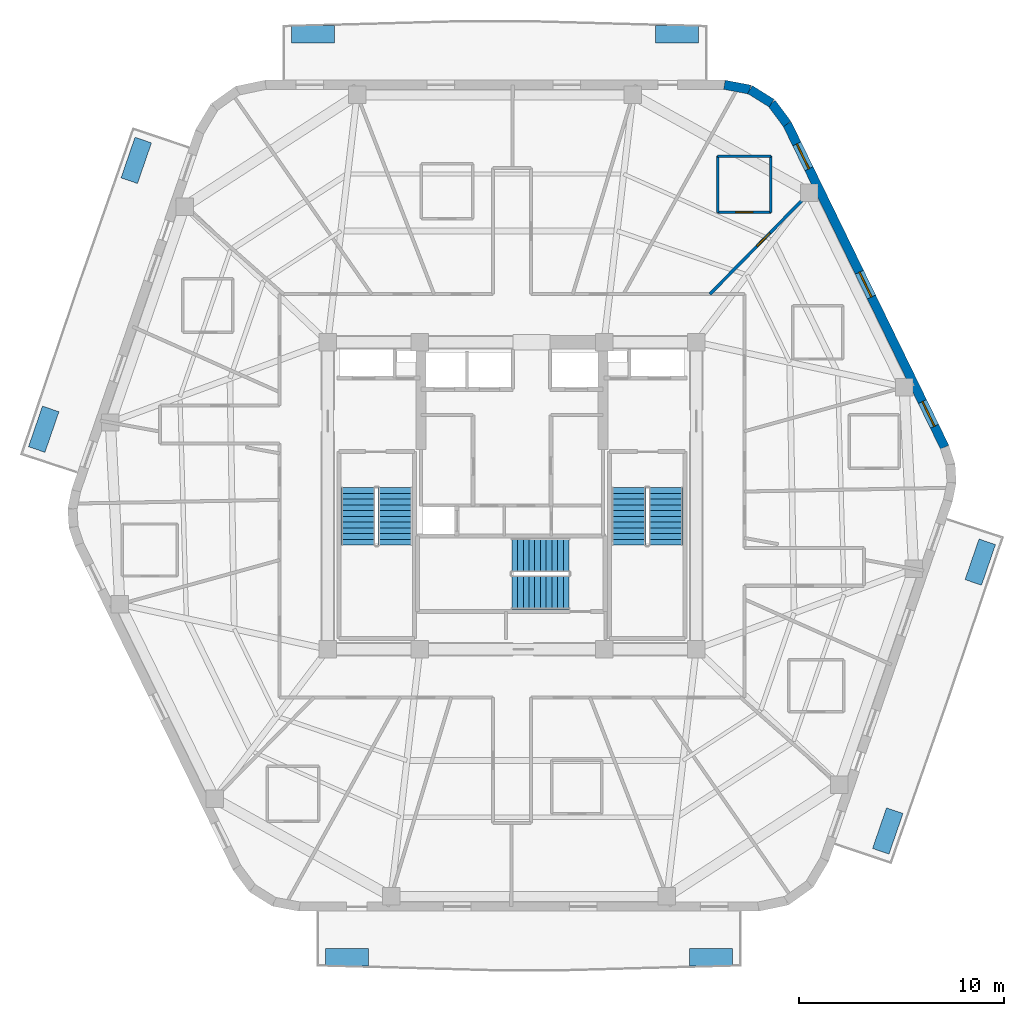
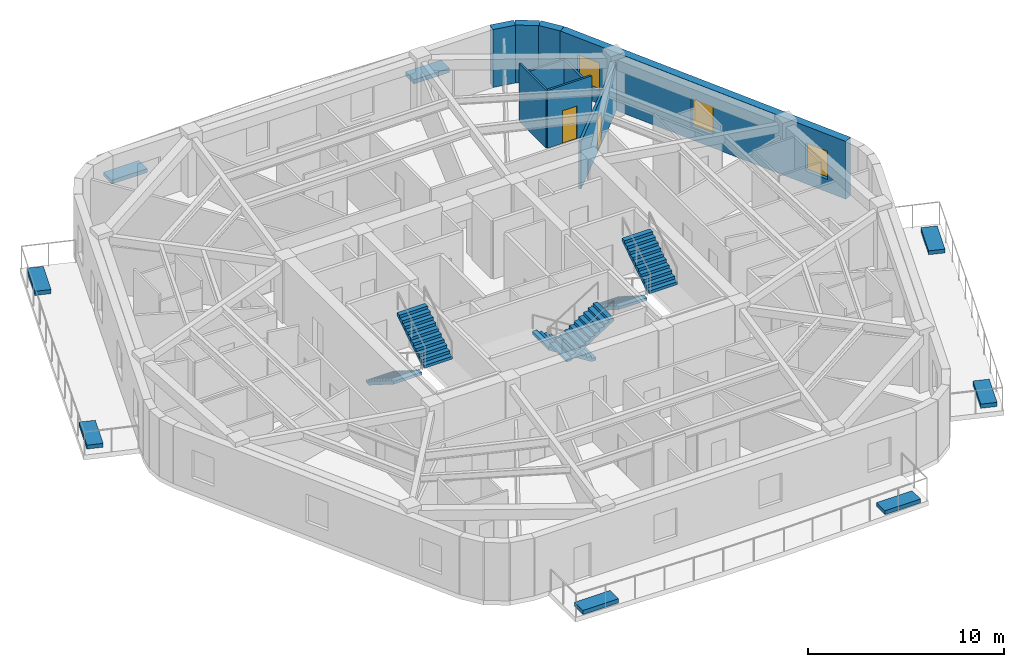
# One storey, part 7 of 9: 9 walls, 8 discrete accessories, 6 stair flights, 3 windows, 2 doors, 5 openings, 3 elements without a shape of their own.
"""IFC4 building model written with IfcOpenShell, lengths in metres."""

from ifc_helpers import new_model, si_unit, direction, frame, frame_2d, origin, origin_2d, place, context, subcontext, project, spatial, polyline, rectangle, outline, extrude, material, layer, layer_set, type_object, element, fill, aggregate, save


model = new_model("IFC4")

# Units and contexts
model_context = context("Model", 3, precision=1e-05, world=origin(), true_north=direction((0.0, 1.0)))
body_context = subcontext(model_context, "Body", "Model", "MODEL_VIEW")
ifc_project = project(units=[si_unit("LENGTHUNIT", "METRE"), si_unit("AREAUNIT", "SQUARE_METRE"), si_unit("VOLUMEUNIT", "CUBIC_METRE"), si_unit("PLANEANGLEUNIT", "RADIAN"), si_unit("MASSUNIT", "GRAM", prefix="KILO")], contexts=[model_context])

# Site, building, storey
site_placement = place(None, origin())
site = spatial("IfcSite", under=ifc_project, at=site_placement, CompositionType="ELEMENT")
building_placement = place(site_placement, origin())
building = spatial("IfcBuilding", under=site, at=building_placement, Name="Kilnhurst Terrace Hotel", CompositionType="ELEMENT")
storey_placement = place(building_placement, frame((0.0, 0.0, 269.10009765625)))
storey = spatial("IfcBuildingStorey", under=building, at=storey_placement, Name="L67", CompositionType="ELEMENT", Elevation=269.10009765625)

# Walls
ifc_material_1 = material(Name="Precast concrete C40/50", Category="concrete")
ifc_layer_1 = layer(ifc_material_1, 0.449951171875, Name="Precast concrete C40/50")
ifc_layer_set_1 = layer_set([ifc_layer_1], Name="Precast concrete C40/50")
wall_type_1 = type_object("IfcWallType", Name="WL-BRK-450", PredefinedType="SOLIDWALL", material=ifc_layer_set_1)
wall_1_placement = place(storey_placement, frame((13.44287109375, 18.159912109375, 0.0), z_axis=(0.0, 0.0, 1.0), x_axis=(-0.597042425808, 0.802209661987, 0.0)))
element("IfcWall", 1, at=wall_1_placement, inside=storey, type_object=wall_type_1, Name="L67 Rounded Corner Brick Wall C4.1", PredefinedType="SOLIDWALL", context=body_context, shape_type="SweptSolid", body=[
    extrude(rectangle(XDim=1.269775390625, YDim=0.449951171875, at=frame_2d((0.634765625, 0.0))), origin(), (0.0, 0.0, 1.0), 3.599853515625),
])
wall_2_placement = place(storey_placement, frame((12.684814453125, 19.178466796875, 0.0), z_axis=(0.0, 0.0, 1.0), x_axis=(-0.848031272749, 0.529946186362, 0.0)))
element("IfcWall", 2, at=wall_2_placement, inside=storey, type_object=wall_type_1, Name="L67 Rounded Corner Brick Wall C4.2", PredefinedType="SOLIDWALL", context=body_context, shape_type="SweptSolid", body=[
    extrude(rectangle(XDim=1.248046875, YDim=0.449951171875, at=frame_2d((0.6240234375, 0.0))), origin(), (0.0, 0.0, 1.0), 3.599853515625),
])
wall_3_placement = place(storey_placement, frame((11.62646484375, 19.83984375, 0.0), z_axis=(0.0, 0.0, 1.0), x_axis=(-0.982701956681, 0.185194126083, 0.0)))
element("IfcWall", 3, at=wall_3_placement, inside=storey, type_object=wall_type_1, Name="L67 Rounded Corner Brick Wall C4.3", PredefinedType="SOLIDWALL", context=body_context, shape_type="SweptSolid", body=[
    extrude(rectangle(XDim=1.26953125, YDim=0.449951171875, at=frame_2d((0.634765625, 0.0))), origin(), (0.0, 0.0, 1.0), 3.599853515625),
])

# Wall, openings, windows
wall_4_placement = place(storey_placement, frame((21.138427734375, 2.370849609375, 0.0), z_axis=(0.0, 0.0, 1.0), x_axis=(-0.438128124058, 0.89891253574, 0.0)))
wall_4 = element("IfcWall", 4, at=wall_4_placement, inside=storey, type_object=wall_type_1, Name="L67 Exterior Brick Facade Wall F3", PredefinedType="SOLIDWALL", context=body_context, shape_type="SweptSolid", body=[
    extrude(rectangle(XDim=17.564697265625, YDim=0.449951171875, at=frame_2d((8.7822265625, 0.0))), origin(), (0.0, 0.0, 1.0), 3.599853515625),
])
opening_1_placement = place(wall_4_placement, frame((1.133056640625, 0.0, 0.800048828125)))
opening_1 = element("IfcOpeningElement", 5, at=opening_1_placement, cuts=wall_4, Name="Opening W-06", PredefinedType="OPENING", context=body_context, shape_type="SweptSolid", body=[
    extrude(rectangle(XDim=1.35009765625, YDim=1.75, at=frame_2d((0.675048828125, 0.875))), frame((0.0, 0.23486328125, 0.0), z_axis=(0.0, -1.0, 0.0), x_axis=(1.0, 0.0, 0.0)), (0.0, 0.0, 1.0), 0.469970703125),
])
opening_2_placement = place(wall_4_placement, frame((8.157958984375, 0.0, 0.800048828125)))
opening_2 = element("IfcOpeningElement", 6, at=opening_2_placement, cuts=wall_4, Name="Opening W-06", PredefinedType="OPENING", context=body_context, shape_type="SweptSolid", body=[
    extrude(rectangle(XDim=1.35009765625, YDim=1.75, at=frame_2d((0.675048828125, 0.875))), frame((0.0, 0.23486328125, 0.0), z_axis=(0.0, -1.0, 0.0), x_axis=(1.0, 0.0, 0.0)), (0.0, 0.0, 1.0), 0.469970703125),
])
opening_3_placement = place(wall_4_placement, frame((15.132080078125, 0.0, 0.800048828125)))
opening_3 = element("IfcOpeningElement", 7, at=opening_3_placement, cuts=wall_4, Name="Opening W-06", PredefinedType="OPENING", context=body_context, shape_type="SweptSolid", body=[
    extrude(rectangle(XDim=1.35009765625, YDim=1.75, at=frame_2d((0.675048828125, 0.875))), frame((0.0, 0.23486328125, 0.0), z_axis=(0.0, -1.0, 0.0), x_axis=(1.0, 0.0, 0.0)), (0.0, 0.0, 1.0), 0.469970703125),
])
ifc_material_2 = material(Name="Thermally Broken Bronze Aluminium Alloy 6063-T6 and Low-E Glass", Category="aluminium")
window_type = type_object("IfcWindowType", Name="WIN-1350X1750", PartitioningType="SINGLE_PANEL", PredefinedType="WINDOW", material=ifc_material_2)
window_1_placement = place(opening_1_placement, origin())
window_1 = element("IfcWindow", 8, at=window_1_placement, inside=storey, type_object=window_type, Name="L67 Deep-Set Masonry Window F3.1", OverallHeight=1.75, OverallWidth=1.35009765625, PartitioningType="SINGLE_PANEL", PredefinedType="WINDOW", context=body_context, shape_type="SweptSolid", body=[
    extrude(rectangle(XDim=1.35009765625, YDim=1.75, at=frame_2d((0.675048828125, 0.875))), frame((0.0, 0.030029296875, 0.0), z_axis=(0.0, -1.0, 0.0), x_axis=(1.0, 0.0, 0.0)), (0.0, 0.0, 1.0), 0.06005859375),
])
fill(opening_1, window_1)
window_2_placement = place(opening_2_placement, origin())
window_2 = element("IfcWindow", 9, at=window_2_placement, inside=storey, type_object=window_type, Name="L67 Deep-Set Masonry Window F3.2", OverallHeight=1.75, OverallWidth=1.35009765625, PartitioningType="SINGLE_PANEL", PredefinedType="WINDOW", context=body_context, shape_type="SweptSolid", body=[
    extrude(rectangle(XDim=1.35009765625, YDim=1.75, at=frame_2d((0.675048828125, 0.875))), frame((0.0, 0.030029296875, 0.0), z_axis=(0.0, -1.0, 0.0), x_axis=(1.0, 0.0, 0.0)), (0.0, 0.0, 1.0), 0.06005859375),
])
fill(opening_2, window_2)
window_3_placement = place(opening_3_placement, origin())
window_3 = element("IfcWindow", 10, at=window_3_placement, inside=storey, type_object=window_type, Name="L67 Deep-Set Masonry Window F3.3", OverallHeight=1.75, OverallWidth=1.35009765625, PartitioningType="SINGLE_PANEL", PredefinedType="WINDOW", context=body_context, shape_type="SweptSolid", body=[
    extrude(rectangle(XDim=1.35009765625, YDim=1.75, at=frame_2d((0.675048828125, 0.875))), frame((0.0, 0.030029296875, 0.0), z_axis=(0.0, -1.0, 0.0), x_axis=(1.0, 0.0, 0.0)), (0.0, 0.0, 1.0), 0.06005859375),
])
fill(opening_3, window_3)

# Wall, opening, door
ifc_material_3 = material(Name="STC-58 Acoustic Twin-Frame Guestroom Demising Partition")
ifc_layer_2 = layer(ifc_material_3, 0.14990234375, Name="STC-58 Acoustic Twin-Frame Guestroom Demising Partition")
ifc_layer_set_2 = layer_set([ifc_layer_2], Name="STC-58 Acoustic Twin-Frame Guestroom Demising Partition")
wall_type_2 = type_object("IfcWallType", Name="WL-DEM-150", PredefinedType="PARTITIONING", material=ifc_layer_set_2)
wall_5_placement = place(storey_placement, frame((9.67236328125, 9.85009765625, 0.0), z_axis=(0.0, 0.0, 1.0), x_axis=(0.700629771301, 0.713524998558, 0.0)))
wall_5 = element("IfcWall", 11, at=wall_5_placement, inside=storey, type_object=wall_type_2, Name="L67 Interior Wall WL-L67-DEM-COL02-03-1", PredefinedType="PARTITIONING", context=body_context, shape_type="SweptSolid", body=[
    extrude(rectangle(XDim=7.45947265625, YDim=0.14990234375, at=frame_2d((3.729736328125, 0.0))), origin(), (0.0, 0.0, 1.0), 2.93994140625),
])
opening_4_placement = place(wall_5_placement, frame((3.280029296875, 0.0, 0.0)))
opening_4 = element("IfcOpeningElement", 12, at=opening_4_placement, cuts=wall_5, Name="Opening D-09B", PredefinedType="OPENING", context=body_context, shape_type="SweptSolid", body=[
    extrude(rectangle(XDim=0.89990234375, YDim=2.030029296875, at=frame_2d((0.449951171875, 1.01513671875))), frame((0.0, 0.0849609375, 0.0), z_axis=(0.0, -1.0, 0.0), x_axis=(1.0, 0.0, 0.0)), (0.0, 0.0, 1.0), 0.169921875),
])
ifc_material_4 = material(Name="Moisture-Resistant Solid-Core Restroom Door")
door_type_1 = type_object("IfcDoorType", Name="DR-INT-900", OperationType="NOTDEFINED", PredefinedType="DOOR", material=ifc_material_4)
door_1_placement = place(opening_4_placement, origin())
door_1 = element("IfcDoor", 13, at=door_1_placement, inside=storey, type_object=door_type_1, Name="L67 Sky Residence Bedroom Door 2", OperationType="SINGLE_SWING_RIGHT", OverallHeight=2.030029296875, OverallWidth=0.89990234375, PredefinedType="DOOR", context=body_context, shape_type="SweptSolid", body=[
    extrude(rectangle(XDim=0.89990234375, YDim=2.030029296875, at=frame_2d((0.449951171875, 1.01513671875))), frame((0.0, 0.02490234375, 0.0), z_axis=(0.0, -1.0, 0.0), x_axis=(1.0, 0.0, 0.0)), (0.0, 0.0, 1.0), 0.050048828125),
])
fill(opening_4, door_1)

ifc_material_5 = material(Name="120 mm Moisture-Resistant Tile-Backed Bathroom Partition")
ifc_layer_3 = layer(ifc_material_5, 0.1201171875, Name="120 mm Moisture-Resistant Tile-Backed Bathroom Partition")
ifc_layer_set_3 = layer_set([ifc_layer_3], Name="120 mm Moisture-Resistant Tile-Backed Bathroom Partition")
wall_type_3 = type_object("IfcWallType", Name="WL-PART-120", PredefinedType="PARTITIONING", material=ifc_layer_set_3)
wall_6_placement = place(storey_placement, frame((10.049072265625, 13.840087890625, 0.0), z_axis=(0.0, 0.0, 1.0), x_axis=(1.0, 0.0, 0.0)))
wall_6 = element("IfcWall", 14, at=wall_6_placement, inside=storey, type_object=wall_type_3, Name="L67 Interior Wall WL-L67-RBTH-02-1", PredefinedType="PARTITIONING", context=body_context, shape_type="SweptSolid", body=[
    extrude(rectangle(XDim=2.599853515625, YDim=0.1201171875, at=frame_2d((1.2998046875, 0.0))), origin(), (0.0, 0.0, 1.0), 3.599853515625),
])
opening_5_placement = place(wall_6_placement, frame((0.875, 0.0, 0.0)))
opening_5 = element("IfcOpeningElement", 15, at=opening_5_placement, cuts=wall_6, Name="Opening D-08A", PredefinedType="OPENING", context=body_context, shape_type="SweptSolid", body=[
    extrude(rectangle(XDim=0.85009765625, YDim=2.030029296875, at=frame_2d((0.425048828125, 1.01513671875))), frame((0.0, 0.070068359375, 0.0), z_axis=(0.0, -1.0, 0.0), x_axis=(1.0, 0.0, 0.0)), (0.0, 0.0, 1.0), 0.14013671875),
])
ifc_material_6 = material(Name="Moisture-Resistant Lacquered En-suite Bathroom Door")
door_type_2 = type_object("IfcDoorType", Name="DR-INT-850", OperationType="NOTDEFINED", PredefinedType="DOOR", material=ifc_material_6)
door_2_placement = place(opening_5_placement, origin())
door_2 = element("IfcDoor", 16, at=door_2_placement, inside=storey, type_object=door_type_2, Name="L67 Sky Residence Bathroom Door 2", OperationType="SINGLE_SWING_LEFT", OverallHeight=2.030029296875, OverallWidth=0.85009765625, PredefinedType="DOOR", context=body_context, shape_type="SweptSolid", body=[
    extrude(rectangle(XDim=0.85009765625, YDim=2.030029296875, at=frame_2d((0.425048828125, 1.01513671875))), frame((0.0, 0.02490234375, 0.0), z_axis=(0.0, -1.0, 0.0), x_axis=(1.0, 0.0, 0.0)), (0.0, 0.0, 1.0), 0.050048828125),
])
fill(opening_5, door_2)

# Walls
wall_7_placement = place(storey_placement, frame((12.64892578125, 13.840087890625, 0.0), z_axis=(0.0, 0.0, 1.0), x_axis=(0.0, 1.0, 0.0)))
element("IfcWall", 17, at=wall_7_placement, inside=storey, type_object=wall_type_3, Name="L67 Interior Wall WL-L67-RBTH-02-2", PredefinedType="PARTITIONING", context=body_context, shape_type="SweptSolid", body=[
    extrude(rectangle(XDim=2.75, YDim=0.1201171875, at=frame_2d((1.375, 0.0))), origin(), (0.0, 0.0, 1.0), 2.93994140625),
])
wall_8_placement = place(storey_placement, frame((12.64892578125, 16.590087890625, 0.0), z_axis=(0.0, 0.0, 1.0), x_axis=(-1.0, 0.0, 0.0)))
element("IfcWall", 18, at=wall_8_placement, inside=storey, type_object=wall_type_3, Name="L67 Interior Wall WL-L67-RBTH-02-3", PredefinedType="PARTITIONING", context=body_context, shape_type="SweptSolid", body=[
    extrude(rectangle(XDim=2.599853515625, YDim=0.1201171875, at=frame_2d((1.2998046875, 0.0))), origin(), (0.0, 0.0, 1.0), 2.93994140625),
])
wall_9_placement = place(storey_placement, frame((10.049072265625, 16.590087890625, 0.0), z_axis=(0.0, 0.0, 1.0), x_axis=(0.0, -1.0, 0.0)))
element("IfcWall", 19, at=wall_9_placement, inside=storey, type_object=wall_type_3, Name="L67 Interior Wall WL-L67-RBTH-02-4", PredefinedType="PARTITIONING", context=body_context, shape_type="SweptSolid", body=[
    extrude(rectangle(XDim=2.75, YDim=0.1201171875, at=frame_2d((1.375, 0.0))), origin(), (0.0, 0.0, 1.0), 3.599853515625),
])

# Stair, stair flights
ifc_material_7 = material(Name="Concrete C50/60", Category="concrete")
stair_type = type_object("IfcStairType", Name="STR-CORE-1660", PredefinedType="HALF_TURN_STAIR", material=ifc_material_7)
stair_1_placement = place(storey_placement, origin())
stair_1 = element("IfcStair", 20, at=stair_1_placement, inside=storey, type_object=stair_type, Name="L67 ST-1", PredefinedType="HALF_TURN_STAIR")
stair_flight_type = type_object("IfcStairFlightType", Name="FLT-RC-1660", PredefinedType="STRAIGHT", material=ifc_material_7)
stair_flight_1_placement = place(storey_placement, frame((-7.52001953125, 0.389892578125, 0.0), z_axis=(0.0, 0.0, 1.0), x_axis=(0.0, -1.0, 0.0)))
stair_flight_1 = element("IfcStairFlight", 21, at=stair_flight_1_placement, type_object=stair_flight_type, Name="ST-1 flight 1", NumberOfRisers=11, NumberOfTreads=10, PredefinedType="STRAIGHT", RiserHeight=0.177272727, TreadLength=0.28, context=body_context, shape_type="SweptSolid", body=[
    extrude(outline(polyline([(0.0, 0.0), (0.0, 0.17724609375), (0.280029296875, 0.17724609375), (0.280029296875, 0.3544921875), (0.56005859375, 0.3544921875), (0.56005859375, 0.53173828125), (0.840087890625, 0.53173828125), (0.840087890625, 0.708984375), (1.1201171875, 0.708984375), (1.1201171875, 0.886474609375), (1.39990234375, 0.886474609375), (1.39990234375, 1.063720703125), (1.679931640625, 1.063720703125), (1.679931640625, 1.240966796875), (1.9599609375, 1.240966796875), (1.9599609375, 1.418212890625), (2.239990234375, 1.418212890625), (2.239990234375, 1.595458984375), (2.52001953125, 1.595458984375), (2.52001953125, 1.772705078125), (2.800048828125, 1.772705078125), (2.800048828125, 1.949951171875), (2.800048828125, 1.59521484375), (0.2802734375, 0.0), (0.0, 0.0)])), frame((0.0, 0.830078125, 0.0), z_axis=(0.0, -1.0, 0.0), x_axis=(1.0, 0.0, 0.0)), (0.0, 0.0, 1.0), 1.659912109375),
])
stair_flight_2_placement = place(storey_placement, frame((-5.7099609375, -2.409912109375, 1.949951171875), z_axis=(0.0, 0.0, 1.0), x_axis=(0.0, 1.0, 0.0)))
stair_flight_2 = element("IfcStairFlight", 22, at=stair_flight_2_placement, type_object=stair_flight_type, Name="ST-1 flight 2", NumberOfRisers=11, NumberOfTreads=10, PredefinedType="STRAIGHT", RiserHeight=0.177272727, TreadLength=0.28, context=body_context, shape_type="SweptSolid", body=[
    extrude(outline(polyline([(0.0, 0.0), (0.0, 0.17724609375), (0.280029296875, 0.17724609375), (0.280029296875, 0.3544921875), (0.56005859375, 0.3544921875), (0.56005859375, 0.53173828125), (0.840087890625, 0.53173828125), (0.840087890625, 0.708984375), (1.1201171875, 0.708984375), (1.1201171875, 0.886474609375), (1.39990234375, 0.886474609375), (1.39990234375, 1.063720703125), (1.679931640625, 1.063720703125), (1.679931640625, 1.240966796875), (1.9599609375, 1.240966796875), (1.9599609375, 1.418212890625), (2.239990234375, 1.418212890625), (2.239990234375, 1.595458984375), (2.52001953125, 1.595458984375), (2.52001953125, 1.772705078125), (2.800048828125, 1.772705078125), (2.800048828125, 1.949951171875), (2.800048828125, 1.59521484375), (0.2802734375, 0.0), (0.0, 0.0)])), frame((0.0, 0.830078125, 0.0), z_axis=(0.0, -1.0, 0.0), x_axis=(1.0, 0.0, 0.0)), (0.0, 0.0, 1.0), 1.659912109375),
])
aggregate(stair_1, [stair_flight_1, stair_flight_2])

stair_2_placement = place(storey_placement, origin())
stair_2 = element("IfcStair", 23, at=stair_2_placement, inside=storey, type_object=stair_type, Name="L67 ST-2", PredefinedType="HALF_TURN_STAIR")
stair_flight_3_placement = place(storey_placement, frame((5.7099609375, 0.389892578125, 0.0), z_axis=(0.0, 0.0, 1.0), x_axis=(0.0, -1.0, 0.0)))
stair_flight_3 = element("IfcStairFlight", 24, at=stair_flight_3_placement, type_object=stair_flight_type, Name="ST-2 flight 1", NumberOfRisers=11, NumberOfTreads=10, PredefinedType="STRAIGHT", RiserHeight=0.177272727, TreadLength=0.28, context=body_context, shape_type="SweptSolid", body=[
    extrude(outline(polyline([(0.0, 0.0), (0.0, 0.17724609375), (0.280029296875, 0.17724609375), (0.280029296875, 0.3544921875), (0.56005859375, 0.3544921875), (0.56005859375, 0.53173828125), (0.840087890625, 0.53173828125), (0.840087890625, 0.708984375), (1.1201171875, 0.708984375), (1.1201171875, 0.886474609375), (1.39990234375, 0.886474609375), (1.39990234375, 1.063720703125), (1.679931640625, 1.063720703125), (1.679931640625, 1.240966796875), (1.9599609375, 1.240966796875), (1.9599609375, 1.418212890625), (2.239990234375, 1.418212890625), (2.239990234375, 1.595458984375), (2.52001953125, 1.595458984375), (2.52001953125, 1.772705078125), (2.800048828125, 1.772705078125), (2.800048828125, 1.949951171875), (2.800048828125, 1.59521484375), (0.2802734375, 0.0), (0.0, 0.0)])), frame((0.0, 0.830078125, 0.0), z_axis=(0.0, -1.0, 0.0), x_axis=(1.0, 0.0, 0.0)), (0.0, 0.0, 1.0), 1.659912109375),
])
stair_flight_4_placement = place(storey_placement, frame((7.52001953125, -2.409912109375, 1.949951171875), z_axis=(0.0, 0.0, 1.0), x_axis=(0.0, 1.0, 0.0)))
stair_flight_4 = element("IfcStairFlight", 25, at=stair_flight_4_placement, type_object=stair_flight_type, Name="ST-2 flight 2", NumberOfRisers=11, NumberOfTreads=10, PredefinedType="STRAIGHT", RiserHeight=0.177272727, TreadLength=0.28, context=body_context, shape_type="SweptSolid", body=[
    extrude(outline(polyline([(0.0, 0.0), (0.0, 0.17724609375), (0.280029296875, 0.17724609375), (0.280029296875, 0.3544921875), (0.56005859375, 0.3544921875), (0.56005859375, 0.53173828125), (0.840087890625, 0.53173828125), (0.840087890625, 0.708984375), (1.1201171875, 0.708984375), (1.1201171875, 0.886474609375), (1.39990234375, 0.886474609375), (1.39990234375, 1.063720703125), (1.679931640625, 1.063720703125), (1.679931640625, 1.240966796875), (1.9599609375, 1.240966796875), (1.9599609375, 1.418212890625), (2.239990234375, 1.418212890625), (2.239990234375, 1.595458984375), (2.52001953125, 1.595458984375), (2.52001953125, 1.772705078125), (2.800048828125, 1.772705078125), (2.800048828125, 1.949951171875), (2.800048828125, 1.59521484375), (0.2802734375, 0.0), (0.0, 0.0)])), frame((0.0, 0.830078125, 0.0), z_axis=(0.0, -1.0, 0.0), x_axis=(1.0, 0.0, 0.0)), (0.0, 0.0, 1.0), 1.659912109375),
])
aggregate(stair_2, [stair_flight_3, stair_flight_4])

stair_3_placement = place(storey_placement, origin())
stair_3 = element("IfcStair", 26, at=stair_3_placement, inside=storey, type_object=stair_type, Name="L67 ST-3", PredefinedType="HALF_TURN_STAIR")
stair_flight_5_placement = place(storey_placement, frame((2.7900390625, -2.909912109375, 0.0), z_axis=(0.0, 0.0, 1.0), x_axis=(-1.0, 0.0, 0.0)))
stair_flight_5 = element("IfcStairFlight", 27, at=stair_flight_5_placement, type_object=stair_flight_type, Name="ST-3 flight 1", NumberOfRisers=11, NumberOfTreads=10, PredefinedType="STRAIGHT", RiserHeight=0.177272727, TreadLength=0.28, context=body_context, shape_type="SweptSolid", body=[
    extrude(outline(polyline([(0.0, 0.0), (0.0, 0.17724609375), (0.280029296875, 0.17724609375), (0.280029296875, 0.3544921875), (0.56005859375, 0.3544921875), (0.56005859375, 0.53173828125), (0.840087890625, 0.53173828125), (0.840087890625, 0.708984375), (1.1201171875, 0.708984375), (1.1201171875, 0.886474609375), (1.39990234375, 0.886474609375), (1.39990234375, 1.063720703125), (1.679931640625, 1.063720703125), (1.679931640625, 1.240966796875), (1.9599609375, 1.240966796875), (1.9599609375, 1.418212890625), (2.239990234375, 1.418212890625), (2.239990234375, 1.595458984375), (2.52001953125, 1.595458984375), (2.52001953125, 1.772705078125), (2.800048828125, 1.772705078125), (2.800048828125, 1.949951171875), (2.800048828125, 1.59521484375), (0.2802734375, 0.0), (0.0, 0.0)])), frame((0.0, 0.830078125, 0.0), z_axis=(0.0, -1.0, 0.0), x_axis=(1.0, 0.0, 0.0)), (0.0, 0.0, 1.0), 1.659912109375),
])
stair_flight_6_placement = place(storey_placement, frame((-0.010009765625, -4.719970703125, 1.949951171875), z_axis=(0.0, 0.0, 1.0), x_axis=(1.0, 0.0, 0.0)))
stair_flight_6 = element("IfcStairFlight", 28, at=stair_flight_6_placement, type_object=stair_flight_type, Name="ST-3 flight 2", NumberOfRisers=11, NumberOfTreads=10, PredefinedType="STRAIGHT", RiserHeight=0.177272727, TreadLength=0.28, context=body_context, shape_type="SweptSolid", body=[
    extrude(outline(polyline([(0.0, 0.0), (0.0, 0.17724609375), (0.280029296875, 0.17724609375), (0.280029296875, 0.3544921875), (0.56005859375, 0.3544921875), (0.56005859375, 0.53173828125), (0.840087890625, 0.53173828125), (0.840087890625, 0.708984375), (1.1201171875, 0.708984375), (1.1201171875, 0.886474609375), (1.39990234375, 0.886474609375), (1.39990234375, 1.063720703125), (1.679931640625, 1.063720703125), (1.679931640625, 1.240966796875), (1.9599609375, 1.240966796875), (1.9599609375, 1.418212890625), (2.239990234375, 1.418212890625), (2.239990234375, 1.595458984375), (2.52001953125, 1.595458984375), (2.52001953125, 1.772705078125), (2.800048828125, 1.772705078125), (2.800048828125, 1.949951171875), (2.800048828125, 1.59521484375), (0.2802734375, 0.0), (0.0, 0.0)])), frame((0.0, 0.830078125, 0.0), z_axis=(0.0, -1.0, 0.0), x_axis=(1.0, 0.0, 0.0)), (0.0, 0.0, 1.0), 1.659912109375),
])
aggregate(stair_3, [stair_flight_5, stair_flight_6])

# Discrete accessories
ifc_material_8 = material(Name="Precast Concrete C40/50 Shrub Planter", Category="concrete")
discrete_accessory_type_1 = type_object("IfcDiscreteAccessoryType", Name="PLN-SHRUB-240", PredefinedType="USERDEFINED", material=ifc_material_8)
for number, where, z_axis, x_axis, name in (
    (29, (9.711669921875, -22.550048828125, 0.0), (0.0, 0.0, 1.0), (1.0, 0.0, 0.0), "L67 Structural Tree Planter Box PLANTER BAL-L1A.2"),
    (30, (22.8779296875, -3.246826171875, 0.0), (0.0, 0.0, 1.0), (0.325403125376, 0.94557538356, 0.0), "L67 Structural Tree Planter Box PLANTER BAL-L1B.2"),
    (31, (-9.711669921875, 22.550048828125, 0.0), (0.0, 0.0, 1.0), (-1.0, 0.0, 0.0), "L67 Structural Tree Planter Box PLANTER BAL-L2A.2"),
    (32, (-22.8779296875, 3.246826171875, 0.0), (0.0, 0.0, 1.0), (-0.325403125376, -0.94557538356, 0.0), "L67 Structural Tree Planter Box PLANTER BAL-L2B.2"),
):
    element("IfcDiscreteAccessory", number, at=place(storey_placement, frame(where, z_axis=z_axis, x_axis=x_axis)), inside=storey, type_object=discrete_accessory_type_1, Name=name, ObjectType="PLANTER", PredefinedType="USERDEFINED", context=body_context, shape_type="SweptSolid", body=[
        extrude(rectangle(XDim=2.10009765625, YDim=0.85009765625, at=origin_2d()), origin(), (0.0, 0.0, 1.0), 0.239990234375),
    ])
ifc_material_9 = material(Name="Precast Concrete C40/50 Tree Planter", Category="concrete")
discrete_accessory_type_2 = type_object("IfcDiscreteAccessoryType", Name="PLN-TREE-260", PredefinedType="USERDEFINED", material=ifc_material_9)
for number, where, z_axis, x_axis, name in (
    (33, (-8.0498046875, -22.550048828125, 0.0), (0.0, 0.0, 1.0), (1.0, 0.0, 0.0), "L67 Structural Tree Planter Box PLANTER BAL-L1A.1"),
    (34, (18.35791015625, -16.381591796875, 0.0), (0.0, 0.0, 1.0), (0.325403125376, 0.94557538356, 0.0), "L67 Structural Tree Planter Box PLANTER BAL-L1B.1"),
    (35, (8.0498046875, 22.550048828125, 0.0), (0.0, 0.0, 1.0), (-1.0, 0.0, 0.0), "L67 Structural Tree Planter Box PLANTER BAL-L2A.1"),
    (36, (-18.35791015625, 16.381591796875, 0.0), (0.0, 0.0, 1.0), (-0.325403125376, -0.94557538356, 0.0), "L67 Structural Tree Planter Box PLANTER BAL-L2B.1"),
):
    element("IfcDiscreteAccessory", number, at=place(storey_placement, frame(where, z_axis=z_axis, x_axis=x_axis)), inside=storey, type_object=discrete_accessory_type_2, Name=name, ObjectType="PLANTER", PredefinedType="USERDEFINED", context=body_context, shape_type="SweptSolid", body=[
        extrude(rectangle(XDim=2.10009765625, YDim=0.85009765625, at=origin_2d()), origin(), (0.0, 0.0, 1.0), 0.260009765625),
    ])

save(model, "model.ifc")
